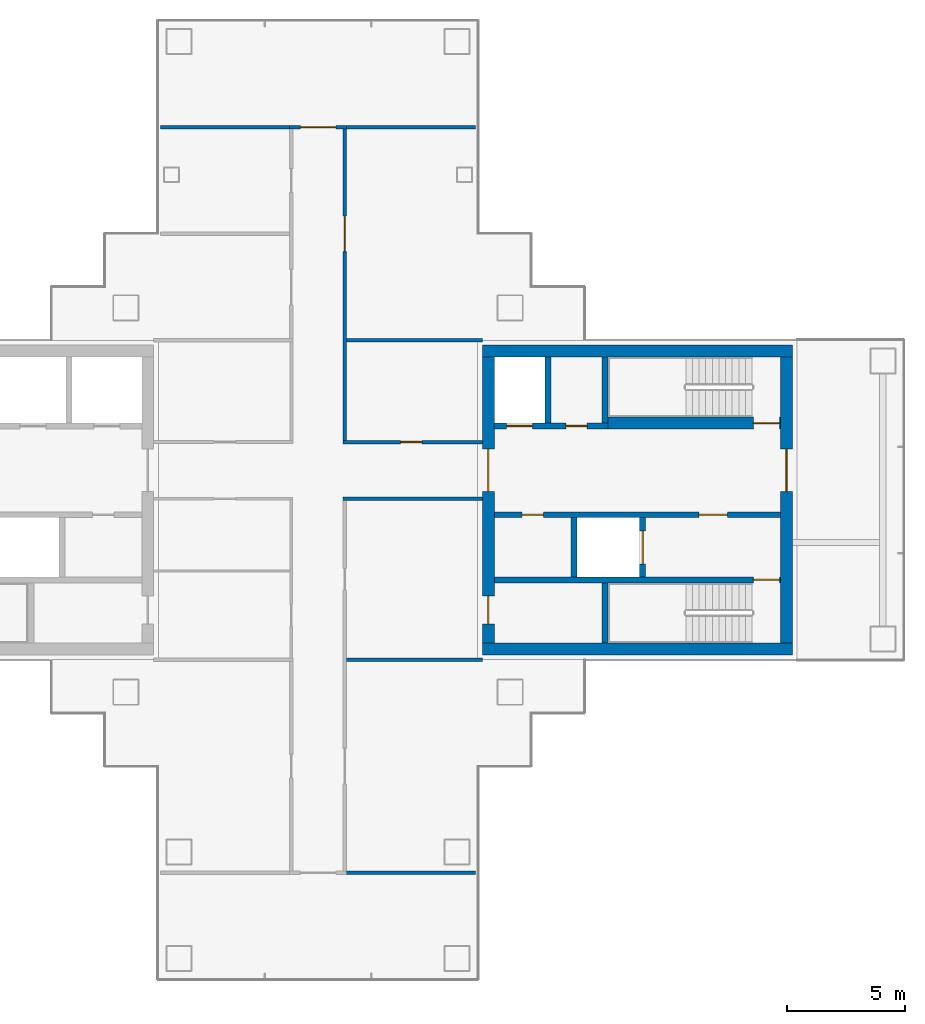
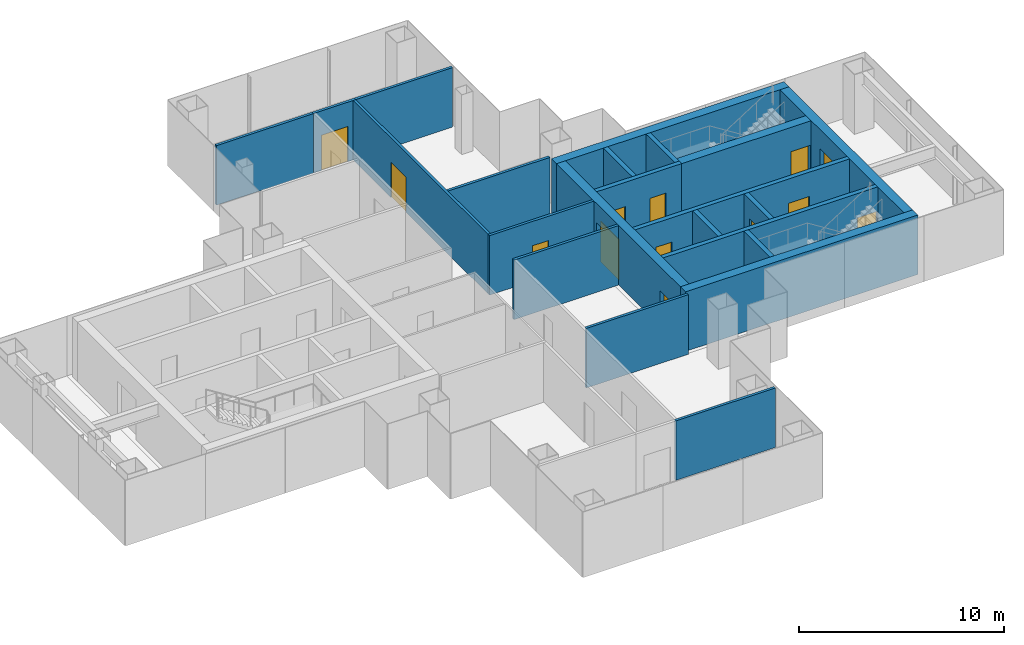
# One storey, part 12 of 16: 22 walls, 13 doors, 13 openings.
"""IFC4 building model written with IfcOpenShell, lengths in metres."""

from ifc_helpers import new_model, si_unit, direction, frame, frame_2d, origin, place, context, subcontext, project, spatial, rectangle, extrude, material, layer, layer_set, type_object, element, fill, save


model = new_model("IFC4")

# Units and contexts
model_context = context("Model", 3, precision=1e-05, world=origin(), true_north=direction((0.0, 1.0)))
body_context = subcontext(model_context, "Body", "Model", "MODEL_VIEW")
ifc_project = project(units=[si_unit("LENGTHUNIT", "METRE"), si_unit("AREAUNIT", "SQUARE_METRE"), si_unit("VOLUMEUNIT", "CUBIC_METRE"), si_unit("PLANEANGLEUNIT", "RADIAN"), si_unit("MASSUNIT", "GRAM", prefix="KILO")], contexts=[model_context])

# Site, building, storey
site_placement = place(None, origin())
site = spatial("IfcSite", under=ifc_project, at=site_placement, CompositionType="ELEMENT")
building_placement = place(site_placement, origin())
building = spatial("IfcBuilding", under=site, at=building_placement, Name="Shamsa Quay Exchange Towers", CompositionType="ELEMENT")
storey_placement = place(building_placement, frame((0.0, 0.0, 158.39990234375)))
storey = spatial("IfcBuildingStorey", under=building, at=storey_placement, Name="L37", CompositionType="ELEMENT", Elevation=158.39990234375)

# Walls
ifc_material_1 = material(Name="Concrete C60/75", Category="concrete")
ifc_layer_1 = layer(ifc_material_1, 0.5)
ifc_layer_set_1 = layer_set([ifc_layer_1], Name="CORE WALL 500 C60/75")
wall_type_1 = type_object("IfcWallType", Name="CORE WALL 500 C60/75", PredefinedType="SHEAR", material=ifc_layer_set_1)
for number, where, z_axis, x_axis, name in (
    (1, (53.800048828125, -6.300048828125, 0.0), (0.0, 0.0, 1.0), (-1.0, 0.0, 0.0), "Core wall T2B-R17-PS"),
    (2, (53.800048828125, 6.300048828125, 0.0), (0.0, 0.0, 1.0), (-1.0, 0.0, 0.0), "Core wall T2B-R17-PN"),
):
    element("IfcWall", number, at=place(storey_placement, frame(where, z_axis=z_axis, x_axis=x_axis)), inside=storey, type_object=wall_type_1, Name=name, PredefinedType="SHEAR", context=body_context, shape_type="SweptSolid", body=[
        extrude(rectangle(XDim=13.10009765625, YDim=0.5, at=frame_2d((6.550048828125, 0.0))), origin(), (0.0, 0.0, 1.0), 3.550048828125),
    ])

# Wall, opening, door
wall_1_placement = place(storey_placement, frame((53.550048828125, -6.050048828125, 0.0), z_axis=(0.0, 0.0, 1.0), x_axis=(0.0, 1.0, 0.0)))
wall_1 = element("IfcWall", 3, at=wall_1_placement, inside=storey, type_object=wall_type_1, Name="Core wall T2B-R17-PF", PredefinedType="SHEAR", context=body_context, shape_type="SweptSolid", body=[
    extrude(rectangle(XDim=12.10009765625, YDim=0.5, at=frame_2d((6.050048828125, 0.0))), origin(), (0.0, 0.0, 1.0), 3.550048828125),
])
opening_1_placement = place(wall_1_placement, frame((6.39990234375, 0.0, 0.0)))
opening_1 = element("IfcOpeningElement", 4, at=opening_1_placement, cuts=wall_1, Name="Opening T2B-R17-LBD01", PredefinedType="OPENING", context=body_context, shape_type="SweptSolid", body=[
    extrude(rectangle(XDim=1.800048828125, YDim=2.39990234375, at=frame_2d((0.89990234375, 1.199951171875))), frame((0.0, 0.260009765625, 0.0), z_axis=(0.0, -1.0, 0.0), x_axis=(1.0, 0.0, 0.0)), (0.0, 0.0, 1.0), 0.52001953125),
])
ifc_material_2 = material(Name="Steel, fire rated", Category="steel")
door_type_1 = type_object("IfcDoorType", Name="LIFT LOBBY DOOR PAIR 1800", OperationType="DOUBLE_DOOR_SINGLE_SWING", PredefinedType="DOOR", material=ifc_material_2)
door_1_placement = place(opening_1_placement, origin())
door_1 = element("IfcDoor", 5, at=door_1_placement, inside=storey, type_object=door_type_1, Name="T2B-R17-LBD01", OperationType="DOUBLE_DOOR_SINGLE_SWING", OverallHeight=2.39990234375, OverallWidth=1.800048828125, PredefinedType="DOOR", context=body_context, shape_type="SweptSolid", body=[
    extrude(rectangle(XDim=1.800048828125, YDim=2.39990234375, at=frame_2d((0.89990234375, 1.199951171875))), frame((0.0, 0.02490234375, 0.0), z_axis=(0.0, -1.0, 0.0), x_axis=(1.0, 0.0, 0.0)), (0.0, 0.0, 1.0), 0.050048828125),
])
fill(opening_1, door_1)

# Wall, openings, doors
wall_2_placement = place(storey_placement, frame((40.949951171875, -6.050048828125, 0.0), z_axis=(0.0, 0.0, 1.0), x_axis=(0.0, 1.0, 0.0)))
wall_2 = element("IfcWall", 6, at=wall_2_placement, inside=storey, type_object=wall_type_1, Name="Core wall T2B-R17-PB", PredefinedType="SHEAR", context=body_context, shape_type="SweptSolid", body=[
    extrude(rectangle(XDim=12.10009765625, YDim=0.5, at=frame_2d((6.050048828125, 0.0))), origin(), (0.0, 0.0, 1.0), 3.550048828125),
])
opening_2_placement = place(wall_2_placement, frame((0.800048828125, 0.0, 0.0)))
opening_2 = element("IfcOpeningElement", 7, at=opening_2_placement, cuts=wall_2, Name="Opening T2B-R17-RD02", PredefinedType="OPENING", context=body_context, shape_type="SweptSolid", body=[
    extrude(rectangle(XDim=1.199951171875, YDim=2.10009765625, at=frame_2d((0.60009765625, 1.050048828125))), frame((0.0, 0.260009765625, 0.0), z_axis=(0.0, -1.0, 0.0), x_axis=(1.0, 0.0, 0.0)), (0.0, 0.0, 1.0), 0.52001953125),
])
opening_3_placement = place(wall_2_placement, frame((6.39990234375, 0.0, 0.0)))
opening_3 = element("IfcOpeningElement", 8, at=opening_3_placement, cuts=wall_2, Name="Opening T2B-R17-LBD03", PredefinedType="OPENING", context=body_context, shape_type="SweptSolid", body=[
    extrude(rectangle(XDim=1.800048828125, YDim=2.39990234375, at=frame_2d((0.89990234375, 1.199951171875))), frame((0.0, 0.260009765625, 0.0), z_axis=(0.0, -1.0, 0.0), x_axis=(1.0, 0.0, 0.0)), (0.0, 0.0, 1.0), 0.52001953125),
])
door_2_placement = place(opening_3_placement, origin())
door_2 = element("IfcDoor", 9, at=door_2_placement, inside=storey, type_object=door_type_1, Name="T2B-R17-LBD03", OperationType="DOUBLE_DOOR_SINGLE_SWING", OverallHeight=2.39990234375, OverallWidth=1.800048828125, PredefinedType="DOOR", context=body_context, shape_type="SweptSolid", body=[
    extrude(rectangle(XDim=1.800048828125, YDim=2.39990234375, at=frame_2d((0.89990234375, 1.199951171875))), frame((0.0, 0.02490234375, 0.0), z_axis=(0.0, -1.0, 0.0), x_axis=(1.0, 0.0, 0.0)), (0.0, 0.0, 1.0), 0.050048828125),
])
fill(opening_3, door_2)
door_type_2 = type_object("IfcDoorType", Name="RISER ACCESS DOOR 1200", OperationType="SINGLE_SWING_LEFT", PredefinedType="DOOR", material=ifc_material_2)
door_3_placement = place(opening_2_placement, origin())
door_3 = element("IfcDoor", 10, at=door_3_placement, inside=storey, type_object=door_type_2, Name="T2B-R17-RD02", OperationType="SINGLE_SWING_LEFT", OverallHeight=2.10009765625, OverallWidth=1.199951171875, PredefinedType="DOOR", context=body_context, shape_type="SweptSolid", body=[
    extrude(rectangle(XDim=1.199951171875, YDim=2.10009765625, at=frame_2d((0.60009765625, 1.050048828125))), frame((0.0, 0.02490234375, 0.0), z_axis=(0.0, -1.0, 0.0), x_axis=(1.0, 0.0, 0.0)), (0.0, 0.0, 1.0), 0.050048828125),
])
fill(opening_2, door_3)

# Wall, opening, door
ifc_material_3 = material(Name="Gypsum board partition on metal studs")
ifc_layer_2 = layer(ifc_material_3, 0.14990234375)
ifc_layer_set_2 = layer_set([ifc_layer_2], Name="Partition 150 mm EI 60")
wall_type_2 = type_object("IfcWallType", Name="Partition 150 mm EI 60", PredefinedType="PARTITIONING", material=ifc_layer_set_2)
wall_3_placement = place(storey_placement, frame((34.800048828125, 2.4501953125, 0.0)))
wall_3 = element("IfcWall", 11, at=wall_3_placement, inside=storey, type_object=wall_type_2, Name="Partition T2-R17-W05", PredefinedType="PARTITIONING", context=body_context, shape_type="SweptSolid", body=[
    extrude(rectangle(XDim=5.89990234375, YDim=0.14990234375, at=frame_2d((2.949951171875, 0.0))), origin(), (0.0, 0.0, 1.0), 3.550048828125),
])
opening_4_placement = place(wall_3_placement, frame((2.4375, 0.0, 0.0)))
opening_4 = element("IfcOpeningElement", 12, at=opening_4_placement, cuts=wall_3, Name="Opening T2-R17-D01", PredefinedType="OPENING", context=body_context, shape_type="SweptSolid", body=[
    extrude(rectangle(XDim=0.89990234375, YDim=2.10009765625, at=frame_2d((0.449951171875, 1.050048828125))), frame((0.0, 0.0849609375, 0.0), z_axis=(0.0, -1.0, 0.0), x_axis=(1.0, 0.0, 0.0)), (0.0, 0.0, 1.0), 0.169921875),
])
ifc_material_4 = material(Name="Timber door leaf in a metal frame", Category="wood")
door_type_3 = type_object("IfcDoorType", Name="Door 900x2100 FD30S", OperationType="NOTDEFINED", PredefinedType="DOOR", material=ifc_material_4)
door_4_placement = place(opening_4_placement, origin())
door_4 = element("IfcDoor", 13, at=door_4_placement, inside=storey, type_object=door_type_3, Name="Door T2-R17-D01", OperationType="SINGLE_SWING_RIGHT", OverallHeight=2.10009765625, OverallWidth=0.89990234375, PredefinedType="DOOR", context=body_context, shape_type="SweptSolid", body=[
    extrude(rectangle(XDim=0.89990234375, YDim=2.10009765625, at=frame_2d((0.449951171875, 1.050048828125))), frame((0.0, 0.02490234375, 0.0), z_axis=(0.0, -1.0, 0.0), x_axis=(1.0, 0.0, 0.0)), (0.0, 0.0, 1.0), 0.050048828125),
])
fill(opening_4, door_4)

wall_4_placement = place(storey_placement, frame((34.875, 15.675048828125, 0.0), z_axis=(0.0, 0.0, 1.0), x_axis=(0.0, -1.0, 0.0)))
wall_4 = element("IfcWall", 14, at=wall_4_placement, inside=storey, type_object=wall_type_2, Name="Partition T2-R17-W07", PredefinedType="PARTITIONING", context=body_context, shape_type="SweptSolid", body=[
    extrude(rectangle(XDim=13.14990234375, YDim=0.14990234375, at=frame_2d((6.574951171875, 0.0))), origin(), (0.0, 0.0, 1.0), 3.550048828125),
])
opening_5_placement = place(wall_4_placement, frame((3.675048828125, 0.0, 0.0)))
opening_5 = element("IfcOpeningElement", 15, at=opening_5_placement, cuts=wall_4, Name="Opening T2-R17-D04", PredefinedType="OPENING", context=body_context, shape_type="SweptSolid", body=[
    extrude(rectangle(XDim=1.5, YDim=2.10009765625, at=frame_2d((0.75, 1.050048828125))), frame((0.0, 0.0849609375, 0.0), z_axis=(0.0, -1.0, 0.0), x_axis=(1.0, 0.0, 0.0)), (0.0, 0.0, 1.0), 0.169921875),
])
door_type_4 = type_object("IfcDoorType", Name="Door 1500x2100 FD30S pair", OperationType="NOTDEFINED", PredefinedType="DOOR", material=ifc_material_4)
door_5_placement = place(opening_5_placement, origin())
door_5 = element("IfcDoor", 16, at=door_5_placement, inside=storey, type_object=door_type_4, Name="Door T2-R17-D04", OperationType="DOUBLE_DOOR_SINGLE_SWING", OverallHeight=2.10009765625, OverallWidth=1.5, PredefinedType="DOOR", context=body_context, shape_type="SweptSolid", body=[
    extrude(rectangle(XDim=1.5, YDim=2.10009765625, at=frame_2d((0.75, 1.050048828125))), frame((0.0, 0.02490234375, 0.0), z_axis=(0.0, -1.0, 0.0), x_axis=(1.0, 0.0, 0.0)), (0.0, 0.0, 1.0), 0.050048828125),
])
fill(opening_5, door_5)

# Wall
wall_5_placement = place(storey_placement, frame((40.699951171875, 0.0498046875, 0.0), z_axis=(0.0, 0.0, 1.0), x_axis=(-1.0, 0.0, 0.0)))
element("IfcWall", 17, at=wall_5_placement, inside=storey, type_object=wall_type_2, Name="Partition T2-R17-W08", PredefinedType="PARTITIONING", context=body_context, shape_type="SweptSolid", body=[
    extrude(rectangle(XDim=5.89990234375, YDim=0.14990234375, at=frame_2d((2.949951171875, 0.0))), origin(), (0.0, 0.0, 1.0), 3.550048828125),
])

# Wall, opening, door
wall_6_placement = place(storey_placement, frame((32.550048828125, 15.75, 0.0)))
wall_6 = element("IfcWall", 18, at=wall_6_placement, inside=storey, type_object=wall_type_2, Name="Partition T2-R17-W11", PredefinedType="PARTITIONING", context=body_context, shape_type="SweptSolid", body=[
    extrude(rectangle(XDim=2.39990234375, YDim=0.14990234375, at=frame_2d((1.199951171875, 0.0))), origin(), (0.0, 0.0, 1.0), 3.550048828125),
])
opening_6_placement = place(wall_6_placement, frame((0.449951171875, 0.0, 0.0)))
opening_6 = element("IfcOpeningElement", 19, at=opening_6_placement, cuts=wall_6, Name="Opening T2-R17-D05", PredefinedType="OPENING", context=body_context, shape_type="SweptSolid", body=[
    extrude(rectangle(XDim=1.5, YDim=2.10009765625, at=frame_2d((0.75, 1.050048828125))), frame((0.0, 0.0849609375, 0.0), z_axis=(0.0, -1.0, 0.0), x_axis=(1.0, 0.0, 0.0)), (0.0, 0.0, 1.0), 0.169921875),
])
door_6_placement = place(opening_6_placement, origin())
door_6 = element("IfcDoor", 20, at=door_6_placement, inside=storey, type_object=door_type_4, Name="Door T2-R17-D05", OperationType="DOUBLE_DOOR_SINGLE_SWING", OverallHeight=2.10009765625, OverallWidth=1.5, PredefinedType="DOOR", context=body_context, shape_type="SweptSolid", body=[
    extrude(rectangle(XDim=1.5, YDim=2.10009765625, at=frame_2d((0.75, 1.050048828125))), frame((0.0, 0.02490234375, 0.0), z_axis=(0.0, -1.0, 0.0), x_axis=(1.0, 0.0, 0.0)), (0.0, 0.0, 1.0), 0.050048828125),
])
fill(opening_6, door_6)

# Walls
wall_7_placement = place(storey_placement, frame((40.699951171875, 6.75, 0.0), z_axis=(0.0, 0.0, 1.0), x_axis=(-1.0, 0.0, 0.0)))
element("IfcWall", 21, at=wall_7_placement, inside=storey, type_object=wall_type_2, Name="Partition T2-R17-W14", PredefinedType="PARTITIONING", context=body_context, shape_type="SweptSolid", body=[
    extrude(rectangle(XDim=5.75, YDim=0.14990234375, at=frame_2d((2.875, 0.0))), origin(), (0.0, 0.0, 1.0), 3.550048828125),
])
wall_8_placement = place(storey_placement, frame((34.949951171875, -6.75, 0.0)))
element("IfcWall", 22, at=wall_8_placement, inside=storey, type_object=wall_type_2, Name="Partition T2-R17-W16", PredefinedType="PARTITIONING", context=body_context, shape_type="SweptSolid", body=[
    extrude(rectangle(XDim=5.75, YDim=0.14990234375, at=frame_2d((2.875, 0.0))), origin(), (0.0, 0.0, 1.0), 3.550048828125),
])
for number, where, z_axis, x_axis, name in (
    (23, (32.699951171875, 15.75, 0.0), (0.0, 0.0, 1.0), (-1.0, 0.0, 0.0), "Partition T2-R17-W19"),
    (24, (40.405029296875, 15.75, 0.0), (0.0, 0.0, 1.0), (-1.0, 0.0, 0.0), "Partition T2-R17-W20"),
):
    element("IfcWall", number, at=place(storey_placement, frame(where, z_axis=z_axis, x_axis=x_axis)), inside=storey, type_object=wall_type_2, Name=name, PredefinedType="PARTITIONING", context=body_context, shape_type="SweptSolid", body=[
        extrude(rectangle(XDim=5.60498046875, YDim=0.14990234375, at=frame_2d((2.802490234375, 0.0))), origin(), (0.0, 0.0, 1.0), 3.550048828125),
    ])
wall_9_placement = place(storey_placement, frame((34.800048828125, -15.75, 0.0)))
element("IfcWall", 25, at=wall_9_placement, inside=storey, type_object=wall_type_2, Name="Partition T2-R17-W21", PredefinedType="PARTITIONING", context=body_context, shape_type="SweptSolid", body=[
    extrude(rectangle(XDim=5.60498046875, YDim=0.14990234375, at=frame_2d((2.802490234375, 0.0))), origin(), (0.0, 0.0, 1.0), 3.550048828125),
])

# Wall, opening, door
ifc_material_5 = material(Name="Concrete C50/60", Category="concrete")
ifc_layer_3 = layer(ifc_material_5, 0.25)
ifc_layer_set_3 = layer_set([ifc_layer_3], Name="SHAFT WALL 250 C50/60")
wall_type_3 = type_object("IfcWallType", Name="SHAFT WALL 250 C50/60", PredefinedType="SHEAR", material=ifc_layer_set_3)
wall_10_placement = place(storey_placement, frame((53.300048828125, -3.375, 0.0), z_axis=(0.0, 0.0, 1.0), x_axis=(-1.0, 0.0, 0.0)))
wall_10 = element("IfcWall", 26, at=wall_10_placement, inside=storey, type_object=wall_type_3, Name="Shaft wall T2B-R17-STL", PredefinedType="SHEAR", context=body_context, shape_type="SweptSolid", body=[
    extrude(rectangle(XDim=12.10009765625, YDim=0.25, at=frame_2d((6.050048828125, 0.0))), origin(), (0.0, 0.0, 1.0), 3.550048828125),
])
opening_7_placement = place(wall_10_placement, frame((0.050048828125, 0.0, 0.0)))
opening_7 = element("IfcOpeningElement", 27, at=opening_7_placement, cuts=wall_10, Name="Opening T2B-R17-SD04", PredefinedType="OPENING", context=body_context, shape_type="SweptSolid", body=[
    extrude(rectangle(XDim=1.10009765625, YDim=2.10009765625, at=frame_2d((0.550048828125, 1.050048828125))), frame((0.0, 0.135009765625, 0.0), z_axis=(0.0, -1.0, 0.0), x_axis=(1.0, 0.0, 0.0)), (0.0, 0.0, 1.0), 0.27001953125),
])
door_type_5 = type_object("IfcDoorType", Name="STAIR DOOR 1100", OperationType="SINGLE_SWING_LEFT", PredefinedType="DOOR", material=ifc_material_2)
door_7_placement = place(opening_7_placement, origin())
door_7 = element("IfcDoor", 28, at=door_7_placement, inside=storey, type_object=door_type_5, Name="T2B-R17-SD04", OperationType="SINGLE_SWING_LEFT", OverallHeight=2.10009765625, OverallWidth=1.10009765625, PredefinedType="DOOR", context=body_context, shape_type="SweptSolid", body=[
    extrude(rectangle(XDim=1.10009765625, YDim=2.10009765625, at=frame_2d((0.550048828125, 1.050048828125))), frame((0.0, 0.02490234375, 0.0), z_axis=(0.0, -1.0, 0.0), x_axis=(1.0, 0.0, 0.0)), (0.0, 0.0, 1.0), 0.050048828125),
])
fill(opening_7, door_7)

# Wall
wall_11_placement = place(storey_placement, frame((45.875, -6.050048828125, 0.0), z_axis=(0.0, 0.0, 1.0), x_axis=(0.0, 1.0, 0.0)))
element("IfcWall", 29, at=wall_11_placement, inside=storey, type_object=wall_type_3, Name="Shaft wall T2B-R17-STF", PredefinedType="SHEAR", context=body_context, shape_type="SweptSolid", body=[
    extrude(rectangle(XDim=2.550048828125, YDim=0.25, at=frame_2d((1.27490234375, 0.0))), origin(), (0.0, 0.0, 1.0), 3.550048828125),
])

# Wall, openings, doors
wall_12_placement = place(storey_placement, frame((53.300048828125, -0.625, 0.0), z_axis=(0.0, 0.0, 1.0), x_axis=(-1.0, 0.0, 0.0)))
wall_12 = element("IfcWall", 30, at=wall_12_placement, inside=storey, type_object=wall_type_3, Name="Shaft wall T2B-R17-B", PredefinedType="SHEAR", context=body_context, shape_type="SweptSolid", body=[
    extrude(rectangle(XDim=12.10009765625, YDim=0.25, at=frame_2d((6.050048828125, 0.0))), origin(), (0.0, 0.0, 1.0), 3.550048828125),
])
opening_8_placement = place(wall_12_placement, frame((2.25, 0.0, 0.0)))
opening_8 = element("IfcOpeningElement", 31, at=opening_8_placement, cuts=wall_12, Name="Opening T2B-R17-FD05", PredefinedType="OPENING", context=body_context, shape_type="SweptSolid", body=[
    extrude(rectangle(XDim=1.199951171875, YDim=2.10009765625, at=frame_2d((0.60009765625, 1.050048828125))), frame((0.0, 0.135009765625, 0.0), z_axis=(0.0, -1.0, 0.0), x_axis=(1.0, 0.0, 0.0)), (0.0, 0.0, 1.0), 0.27001953125),
])
opening_9_placement = place(wall_12_placement, frame((10.02490234375, 0.0, 0.0)))
opening_9 = element("IfcOpeningElement", 32, at=opening_9_placement, cuts=wall_12, Name="Opening T2B-R17-SV06", PredefinedType="OPENING", context=body_context, shape_type="SweptSolid", body=[
    extrude(rectangle(XDim=0.89990234375, YDim=2.10009765625, at=frame_2d((0.449951171875, 1.050048828125))), frame((0.0, 0.135009765625, 0.0), z_axis=(0.0, -1.0, 0.0), x_axis=(1.0, 0.0, 0.0)), (0.0, 0.0, 1.0), 0.27001953125),
])
door_type_6 = type_object("IfcDoorType", Name="FIRE SERVICE LOBBY DOOR 1200", OperationType="SINGLE_SWING_LEFT", PredefinedType="DOOR", material=ifc_material_2)
door_8_placement = place(opening_8_placement, origin())
door_8 = element("IfcDoor", 33, at=door_8_placement, inside=storey, type_object=door_type_6, Name="T2B-R17-FD05", OperationType="SINGLE_SWING_LEFT", OverallHeight=2.10009765625, OverallWidth=1.199951171875, PredefinedType="DOOR", context=body_context, shape_type="SweptSolid", body=[
    extrude(rectangle(XDim=1.199951171875, YDim=2.10009765625, at=frame_2d((0.60009765625, 1.050048828125))), frame((0.0, 0.02490234375, 0.0), z_axis=(0.0, -1.0, 0.0), x_axis=(1.0, 0.0, 0.0)), (0.0, 0.0, 1.0), 0.050048828125),
])
fill(opening_8, door_8)
door_type_7 = type_object("IfcDoorType", Name="SERVICE ROOM DOOR 900", OperationType="SINGLE_SWING_LEFT", PredefinedType="DOOR", material=ifc_material_2)
door_9_placement = place(opening_9_placement, origin())
door_9 = element("IfcDoor", 34, at=door_9_placement, inside=storey, type_object=door_type_7, Name="T2B-R17-SV06", OperationType="SINGLE_SWING_RIGHT", OverallHeight=2.10009765625, OverallWidth=0.89990234375, PredefinedType="DOOR", context=body_context, shape_type="SweptSolid", body=[
    extrude(rectangle(XDim=0.89990234375, YDim=2.10009765625, at=frame_2d((0.449951171875, 1.050048828125))), frame((0.0, 0.02490234375, 0.0), z_axis=(0.0, -1.0, 0.0), x_axis=(1.0, 0.0, 0.0)), (0.0, 0.0, 1.0), 0.050048828125),
])
fill(opening_9, door_9)

# Wall, opening, door
wall_13_placement = place(storey_placement, frame((47.47509765625, -3.25, 0.0), z_axis=(0.0, 0.0, 1.0), x_axis=(0.0, 1.0, 0.0)))
wall_13 = element("IfcWall", 35, at=wall_13_placement, inside=storey, type_object=wall_type_3, Name="Shaft wall T2B-R17-FFF", PredefinedType="SHEAR", context=body_context, shape_type="SweptSolid", body=[
    extrude(rectangle(XDim=2.5, YDim=0.25, at=frame_2d((1.25, 0.0))), origin(), (0.0, 0.0, 1.0), 3.550048828125),
])
opening_10_placement = place(wall_13_placement, frame((0.550048828125, 0.0, 0.0)))
opening_10 = element("IfcOpeningElement", 36, at=opening_10_placement, cuts=wall_13, Name="Opening T2B-R17-LDG07", PredefinedType="OPENING", context=body_context, shape_type="SweptSolid", body=[
    extrude(rectangle(XDim=1.39990234375, YDim=2.39990234375, at=frame_2d((0.699951171875, 1.199951171875))), frame((0.0, 0.135009765625, 0.0), z_axis=(0.0, -1.0, 0.0), x_axis=(1.0, 0.0, 0.0)), (0.0, 0.0, 1.0), 0.27001953125),
])
door_type_8 = type_object("IfcDoorType", Name="GOODS LIFT LANDING DOOR 1400", OperationType="SLIDING_TO_LEFT", PredefinedType="DOOR", material=ifc_material_2)
door_10_placement = place(opening_10_placement, origin())
door_10 = element("IfcDoor", 37, at=door_10_placement, inside=storey, type_object=door_type_8, Name="T2B-R17-LDG07", OperationType="SLIDING_TO_LEFT", OverallHeight=2.39990234375, OverallWidth=1.39990234375, PredefinedType="DOOR", context=body_context, shape_type="SweptSolid", body=[
    extrude(rectangle(XDim=1.39990234375, YDim=2.39990234375, at=frame_2d((0.699951171875, 1.199951171875))), frame((0.0, 0.02490234375, 0.0), z_axis=(0.0, -1.0, 0.0), x_axis=(1.0, 0.0, 0.0)), (0.0, 0.0, 1.0), 0.050048828125),
])
fill(opening_10, door_10)

# Wall
wall_14_placement = place(storey_placement, frame((44.574951171875, -3.25, 0.0), z_axis=(0.0, 0.0, 1.0), x_axis=(0.0, 1.0, 0.0)))
element("IfcWall", 38, at=wall_14_placement, inside=storey, type_object=wall_type_3, Name="Shaft wall T2B-R17-FFB", PredefinedType="SHEAR", context=body_context, shape_type="SweptSolid", body=[
    extrude(rectangle(XDim=2.5, YDim=0.25, at=frame_2d((1.25, 0.0))), origin(), (0.0, 0.0, 1.0), 3.550048828125),
])

# Wall, openings, doors
wall_15_placement = place(storey_placement, frame((41.199951171875, 3.125, 0.0)))
wall_15 = element("IfcWall", 39, at=wall_15_placement, inside=storey, type_object=wall_type_3, Name="Shaft wall T2B-R17-N2", PredefinedType="SHEAR", context=body_context, shape_type="SweptSolid", body=[
    extrude(rectangle(XDim=4.800048828125, YDim=0.25, at=frame_2d((2.39990234375, 0.0))), origin(), (0.0, 0.0, 1.0), 3.550048828125),
])
opening_11_placement = place(wall_15_placement, frame((0.52490234375, 0.0, 0.0)))
opening_11 = element("IfcOpeningElement", 40, at=opening_11_placement, cuts=wall_15, Name="Opening T2B-R17-LD09", PredefinedType="OPENING", context=body_context, shape_type="SweptSolid", body=[
    extrude(rectangle(XDim=1.10009765625, YDim=2.10009765625, at=frame_2d((0.550048828125, 1.050048828125))), frame((0.0, 0.135009765625, 0.0), z_axis=(0.0, -1.0, 0.0), x_axis=(1.0, 0.0, 0.0)), (0.0, 0.0, 1.0), 0.27001953125),
])
opening_12_placement = place(wall_15_placement, frame((3.02490234375, 0.0, 0.0)))
opening_12 = element("IfcOpeningElement", 41, at=opening_12_placement, cuts=wall_15, Name="Opening T2B-R17-SV10", PredefinedType="OPENING", context=body_context, shape_type="SweptSolid", body=[
    extrude(rectangle(XDim=0.89990234375, YDim=2.10009765625, at=frame_2d((0.449951171875, 1.050048828125))), frame((0.0, 0.135009765625, 0.0), z_axis=(0.0, -1.0, 0.0), x_axis=(1.0, 0.0, 0.0)), (0.0, 0.0, 1.0), 0.27001953125),
])
door_type_9 = type_object("IfcDoorType", Name="LANDING DOOR 1100", OperationType="SLIDING_TO_LEFT", PredefinedType="DOOR", material=ifc_material_2)
door_11_placement = place(opening_11_placement, origin())
door_11 = element("IfcDoor", 42, at=door_11_placement, inside=storey, type_object=door_type_9, Name="T2B-R17-LD09", OperationType="SLIDING_TO_LEFT", OverallHeight=2.10009765625, OverallWidth=1.10009765625, PredefinedType="DOOR", context=body_context, shape_type="SweptSolid", body=[
    extrude(rectangle(XDim=1.10009765625, YDim=2.10009765625, at=frame_2d((0.550048828125, 1.050048828125))), frame((0.0, 0.02490234375, 0.0), z_axis=(0.0, -1.0, 0.0), x_axis=(1.0, 0.0, 0.0)), (0.0, 0.0, 1.0), 0.050048828125),
])
fill(opening_11, door_11)
door_12_placement = place(opening_12_placement, origin())
door_12 = element("IfcDoor", 43, at=door_12_placement, inside=storey, type_object=door_type_7, Name="T2B-R17-SV10", OperationType="SINGLE_SWING_RIGHT", OverallHeight=2.10009765625, OverallWidth=0.89990234375, PredefinedType="DOOR", context=body_context, shape_type="SweptSolid", body=[
    extrude(rectangle(XDim=0.89990234375, YDim=2.10009765625, at=frame_2d((0.449951171875, 1.050048828125))), frame((0.0, 0.02490234375, 0.0), z_axis=(0.0, -1.0, 0.0), x_axis=(1.0, 0.0, 0.0)), (0.0, 0.0, 1.0), 0.050048828125),
])
fill(opening_12, door_12)

# Walls
for number, where, z_axis, x_axis, name in (
    (44, (45.875, 3.25, 0.0), (0.0, 0.0, 1.0), (0.0, 1.0, 0.0), "Shaft wall T2B-R17-STF2"),
    (45, (43.47509765625, 3.25, 0.0), (0.0, 0.0, 1.0), (0.0, 1.0, 0.0), "Shaft wall T2B-R17-D0"),
):
    element("IfcWall", number, at=place(storey_placement, frame(where, z_axis=z_axis, x_axis=x_axis)), inside=storey, type_object=wall_type_3, Name=name, PredefinedType="SHEAR", context=body_context, shape_type="SweptSolid", body=[
        extrude(rectangle(XDim=2.800048828125, YDim=0.25, at=frame_2d((1.39990234375, 0.0))), origin(), (0.0, 0.0, 1.0), 3.550048828125),
    ])

# Wall, opening, door
ifc_layer_4 = layer(ifc_material_5, 0.5)
ifc_layer_set_4 = layer_set([ifc_layer_4], Name="SHAFT WALL 500 C50/60")
wall_type_4 = type_object("IfcWallType", Name="SHAFT WALL 500 C50/60", PredefinedType="SHEAR", material=ifc_layer_set_4)
wall_16_placement = place(storey_placement, frame((46.0, 3.25, 0.0)))
wall_16 = element("IfcWall", 46, at=wall_16_placement, inside=storey, type_object=wall_type_4, Name="Shaft wall T2B-R17-N", PredefinedType="SHEAR", context=body_context, shape_type="SweptSolid", body=[
    extrude(rectangle(XDim=7.300048828125, YDim=0.5, at=frame_2d((3.64990234375, 0.0))), origin(), (0.0, 0.0, 1.0), 3.550048828125),
])
opening_13_placement = place(wall_16_placement, frame((6.14990234375, 0.0, 0.0)))
opening_13 = element("IfcOpeningElement", 47, at=opening_13_placement, cuts=wall_16, Name="Opening T2B-R17-SD08", PredefinedType="OPENING", context=body_context, shape_type="SweptSolid", body=[
    extrude(rectangle(XDim=1.10009765625, YDim=2.10009765625, at=frame_2d((0.550048828125, 1.050048828125))), frame((0.0, 0.260009765625, 0.0), z_axis=(0.0, -1.0, 0.0), x_axis=(1.0, 0.0, 0.0)), (0.0, 0.0, 1.0), 0.52001953125),
])
door_13_placement = place(opening_13_placement, origin())
door_13 = element("IfcDoor", 48, at=door_13_placement, inside=storey, type_object=door_type_5, Name="T2B-R17-SD08", OperationType="SINGLE_SWING_RIGHT", OverallHeight=2.10009765625, OverallWidth=1.10009765625, PredefinedType="DOOR", context=body_context, shape_type="SweptSolid", body=[
    extrude(rectangle(XDim=1.10009765625, YDim=2.10009765625, at=frame_2d((0.550048828125, 1.050048828125))), frame((0.0, 0.02490234375, 0.0), z_axis=(0.0, -1.0, 0.0), x_axis=(1.0, 0.0, 0.0)), (0.0, 0.0, 1.0), 0.050048828125),
])
fill(opening_13, door_13)

save(model, "model.ifc")
